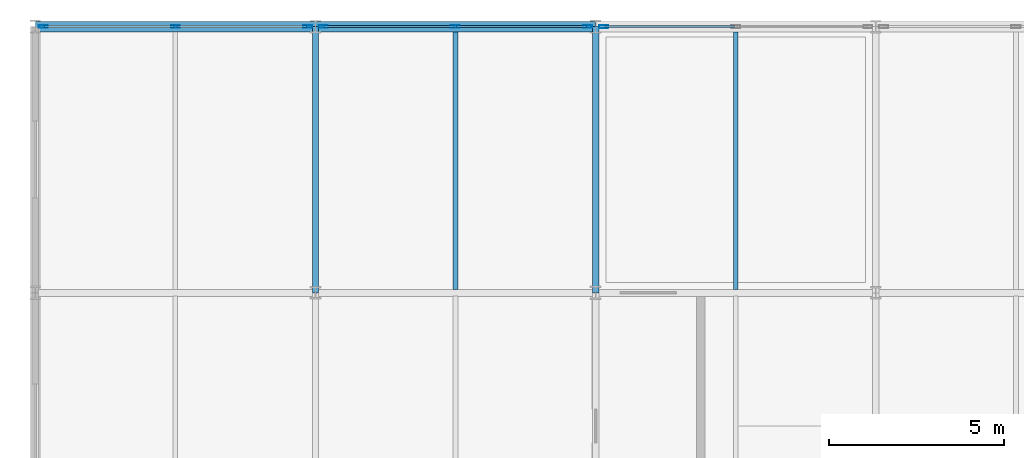
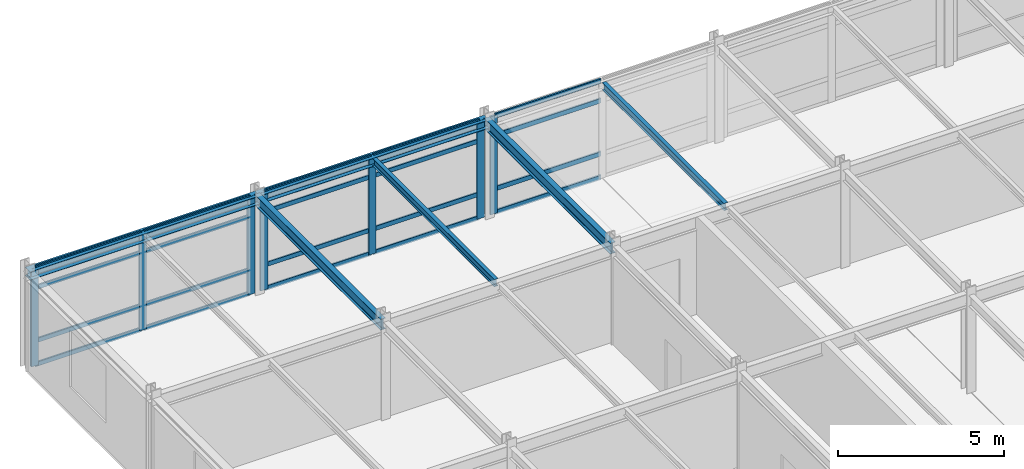
# One storey, part 6 of 15: 27 members, 6 beams, 3 elements without a shape of their own.
"""IFC4 building model written with IfcOpenShell, lengths in metres."""

from ifc_helpers import new_model, si_unit, direction, frame, origin, origin_2d, place, context, subcontext, project, spatial, hollow_rectangle, i_section, extrude, material, layer, layer_set, material_profile, profile_set, type_object, element, aggregate, save


model = new_model("IFC4")

# Units and contexts
model_context = context("Model", 3, precision=1e-05, world=origin(), true_north=direction((0.0, 1.0)))
body_context = subcontext(model_context, "Body", "Model", "MODEL_VIEW")
ifc_project = project(units=[si_unit("LENGTHUNIT", "METRE"), si_unit("AREAUNIT", "SQUARE_METRE"), si_unit("VOLUMEUNIT", "CUBIC_METRE"), si_unit("PLANEANGLEUNIT", "RADIAN"), si_unit("MASSUNIT", "GRAM", prefix="KILO")], contexts=[model_context])

# Site, building, storey
site_placement = place(None, origin())
site = spatial("IfcSite", under=ifc_project, at=site_placement, CompositionType="ELEMENT")
building_placement = place(site_placement, origin())
building = spatial("IfcBuilding", under=site, at=building_placement, Name="Shalkamar Park Central Library", CompositionType="ELEMENT")
storey_placement = place(building_placement, frame((0.0, 0.0, 47.699951171875)))
storey = spatial("IfcBuildingStorey", under=building, at=storey_placement, Name="L12", CompositionType="ELEMENT", Elevation=47.699951171875)

# Beams
ifc_material_1 = material(Name="Steel S355", Category="steel")
ifc_material_profile_1 = material_profile(ifc_material_1, i_section(OverallWidth=0.135009765625, OverallDepth=0.27001953125, WebThickness=0.006591796875, FlangeThickness=0.01025390625, FilletRadius=0.014892578125, at=origin_2d()), Name="IPE 270")
ifc_profile_set_1 = profile_set([ifc_material_profile_1], Name="Steel S355")
beam_type_1 = type_object("IfcBeamType", Name="Composite Floor Joist IPE270", PredefinedType="JOIST", material=ifc_profile_set_1)
for number, where, z_axis, x_axis, name in (
    (1, (177.0, 278.097900390625, 3.47509765625), (0.0, 1.0, 0.0), (-1.0, 0.0, 0.0), "Composite Joist 08/F-1 (L12)"),
    (2, (185.0, 278.097900390625, 3.47509765625), (0.0, 1.0, 0.0), (-1.0, 0.0, 0.0), "Composite Joist 09/F-1 (L12)"),
):
    element("IfcBeam", number, at=place(storey_placement, frame(where, z_axis=z_axis, x_axis=x_axis)), inside=storey, type_object=beam_type_1, Name=name, PredefinedType="JOIST", context=body_context, shape_type="SweptSolid", body=[
        extrude(i_section(OverallWidth=0.135009765625, OverallDepth=0.27001953125, WebThickness=0.006591796875, FlangeThickness=0.01025390625, FilletRadius=0.014892578125, at=origin_2d()), origin(), (0.0, 0.0, 1.0), 7.35400390625),
    ])

# Curtain wall, members
ifc_material_2 = material(Name="Thermally broken aluminium and triple low-e curtain wall", Category="aluminium")
ifc_layer_1 = layer(ifc_material_2, 0.25)
ifc_layer_set_1 = layer_set([ifc_layer_1], Name="UnitisedCurtainWall_83")
curtain_wall_type_1 = type_object("IfcCurtainWallType", Name="Unitised Curtain Wall 83", PredefinedType="USERDEFINED", material=ifc_layer_set_1)
curtain_wall_1_placement = place(storey_placement, origin())
curtain_wall_1 = element("IfcCurtainWall", 3, at=curtain_wall_1_placement, inside=storey, type_object=curtain_wall_type_1, Name="Unitised Curtain Wall CW-L12-135", ObjectType="UNITISED CURTAIN WALL", PredefinedType="USERDEFINED")
ifc_material_3 = material(Name="Aluminium 6060-T66", Category="aluminium")
ifc_material_profile_2 = material_profile(ifc_material_3, hollow_rectangle(XDim=0.074951171875, YDim=0.25, WallThickness=0.00390625, InnerFilletRadius=0.00390625, OuterFilletRadius=0.006103515625, at=origin_2d()), Name="ALU 75x250x4")
ifc_profile_set_2 = profile_set([ifc_material_profile_2], Name="Aluminium 6060-T66")
member_type_1 = type_object("IfcMemberType", Name="Curtain Wall Mullion ALU75x250", PredefinedType="MULLION", material=ifc_profile_set_2)
member_1_placement = place(storey_placement, frame((165.22998046875, 285.60009765625, 0.0), z_axis=(0.0, 0.0, 1.0), x_axis=(0.0, 1.0, 0.0)))
member_1 = element("IfcMember", 4, at=member_1_placement, type_object=member_type_1, Name="CW-83 mullion 1", PredefinedType="MULLION", context=body_context, shape_type="SweptSolid", body=[
    extrude(hollow_rectangle(XDim=0.074951171875, YDim=0.25, WallThickness=0.00390625, InnerFilletRadius=0.00390625, OuterFilletRadius=0.006103515625, at=origin_2d()), origin(), (0.0, 0.0, 1.0), 3.610107421875),
])
member_2_placement = place(storey_placement, frame((169.00439453125, 285.60009765625, 0.0), z_axis=(0.0, 0.0, 1.0), x_axis=(0.0, 1.0, 0.0)))
member_2 = element("IfcMember", 5, at=member_2_placement, type_object=member_type_1, Name="CW-83 mullion 2", PredefinedType="MULLION", context=body_context, shape_type="SweptSolid", body=[
    extrude(hollow_rectangle(XDim=0.074951171875, YDim=0.25, WallThickness=0.00390625, InnerFilletRadius=0.00390625, OuterFilletRadius=0.006103515625, at=origin_2d()), origin(), (0.0, 0.0, 1.0), 3.610107421875),
])
member_3_placement = place(storey_placement, frame((172.779052734375, 285.60009765625, 0.0), z_axis=(0.0, 0.0, 1.0), x_axis=(0.0, 1.0, 0.0)))
member_3 = element("IfcMember", 6, at=member_3_placement, type_object=member_type_1, Name="CW-83 mullion 3", PredefinedType="MULLION", context=body_context, shape_type="SweptSolid", body=[
    extrude(hollow_rectangle(XDim=0.074951171875, YDim=0.25, WallThickness=0.00390625, InnerFilletRadius=0.00390625, OuterFilletRadius=0.006103515625, at=origin_2d()), origin(), (0.0, 0.0, 1.0), 3.610107421875),
])

ifc_layer_2 = layer(ifc_material_2, 0.260009765625)
ifc_layer_set_2 = layer_set([ifc_layer_2], Name="UnitisedCurtainWall_84")
curtain_wall_type_2 = type_object("IfcCurtainWallType", Name="Unitised Curtain Wall 84", PredefinedType="USERDEFINED", material=ifc_layer_set_2)
curtain_wall_2_placement = place(storey_placement, origin())
curtain_wall_2 = element("IfcCurtainWall", 7, at=curtain_wall_2_placement, inside=storey, type_object=curtain_wall_type_2, Name="Unitised Curtain Wall CW-L12-136", ObjectType="UNITISED CURTAIN WALL", PredefinedType="USERDEFINED")
ifc_material_profile_3 = material_profile(ifc_material_3, hollow_rectangle(XDim=0.074951171875, YDim=0.260009765625, WallThickness=0.00439453125, InnerFilletRadius=0.00439453125, OuterFilletRadius=0.0068359375, at=origin_2d()), Name="ALU 75x260x4.5")
ifc_profile_set_3 = profile_set([ifc_material_profile_3], Name="Aluminium 6060-T66")
member_type_2 = type_object("IfcMemberType", Name="Curtain Wall Mullion ALU75x260", PredefinedType="MULLION", material=ifc_profile_set_3)
member_4_placement = place(storey_placement, frame((173.220947265625, 285.60009765625, 0.0), z_axis=(0.0, 0.0, 1.0), x_axis=(0.0, 1.0, 0.0)))
member_4 = element("IfcMember", 8, at=member_4_placement, type_object=member_type_2, Name="CW-84 mullion 1", PredefinedType="MULLION", context=body_context, shape_type="SweptSolid", body=[
    extrude(hollow_rectangle(XDim=0.074951171875, YDim=0.260009765625, WallThickness=0.00439453125, InnerFilletRadius=0.00439453125, OuterFilletRadius=0.0068359375, at=origin_2d()), origin(), (0.0, 0.0, 1.0), 3.610107421875),
])
member_5_placement = place(storey_placement, frame((176.99560546875, 285.60009765625, 0.0), z_axis=(0.0, 0.0, 1.0), x_axis=(0.0, 1.0, 0.0)))
member_5 = element("IfcMember", 9, at=member_5_placement, type_object=member_type_2, Name="CW-84 mullion 2", PredefinedType="MULLION", context=body_context, shape_type="SweptSolid", body=[
    extrude(hollow_rectangle(XDim=0.074951171875, YDim=0.260009765625, WallThickness=0.00439453125, InnerFilletRadius=0.00439453125, OuterFilletRadius=0.0068359375, at=origin_2d()), origin(), (0.0, 0.0, 1.0), 3.610107421875),
])
member_6_placement = place(storey_placement, frame((180.77001953125, 285.60009765625, 0.0), z_axis=(0.0, 0.0, 1.0), x_axis=(0.0, 1.0, 0.0)))
member_6 = element("IfcMember", 10, at=member_6_placement, type_object=member_type_2, Name="CW-84 mullion 3", PredefinedType="MULLION", context=body_context, shape_type="SweptSolid", body=[
    extrude(hollow_rectangle(XDim=0.074951171875, YDim=0.260009765625, WallThickness=0.00439453125, InnerFilletRadius=0.00439453125, OuterFilletRadius=0.0068359375, at=origin_2d()), origin(), (0.0, 0.0, 1.0), 3.610107421875),
])

# Curtain wall, member
ifc_layer_3 = layer(ifc_material_2, 0.2548828125)
ifc_layer_set_3 = layer_set([ifc_layer_3], Name="UnitisedCurtainWall_85")
curtain_wall_type_3 = type_object("IfcCurtainWallType", Name="Unitised Curtain Wall 85", PredefinedType="USERDEFINED", material=ifc_layer_set_3)
curtain_wall_3_placement = place(storey_placement, origin())
curtain_wall_3 = element("IfcCurtainWall", 11, at=curtain_wall_3_placement, inside=storey, type_object=curtain_wall_type_3, Name="Unitised Curtain Wall CW-L12-137", ObjectType="UNITISED CURTAIN WALL", PredefinedType="USERDEFINED")
ifc_material_profile_4 = material_profile(ifc_material_3, hollow_rectangle(XDim=0.080078125, YDim=0.2548828125, WallThickness=0.00439453125, InnerFilletRadius=0.00439453125, OuterFilletRadius=0.0068359375, at=origin_2d()), Name="ALU 80x255x4.5")
ifc_profile_set_4 = profile_set([ifc_material_profile_4], Name="Aluminium 6060-T66")
member_type_3 = type_object("IfcMemberType", Name="Curtain Wall Mullion ALU80x255", PredefinedType="MULLION", material=ifc_profile_set_4)
member_7_placement = place(storey_placement, frame((181.232421875, 285.60009765625, 0.0), z_axis=(0.0, 0.0, 1.0), x_axis=(0.0, 1.0, 0.0)))
member_7 = element("IfcMember", 12, at=member_7_placement, type_object=member_type_3, Name="CW-85 mullion 1", PredefinedType="MULLION", context=body_context, shape_type="SweptSolid", body=[
    extrude(hollow_rectangle(XDim=0.080078125, YDim=0.2548828125, WallThickness=0.00439453125, InnerFilletRadius=0.00439453125, OuterFilletRadius=0.0068359375, at=origin_2d()), origin(), (0.0, 0.0, 1.0), 3.610107421875),
])

# Member
ifc_material_profile_5 = material_profile(ifc_material_3, hollow_rectangle(XDim=0.06005859375, YDim=0.159912109375, WallThickness=0.00390625, InnerFilletRadius=0.00390625, OuterFilletRadius=0.006103515625, at=origin_2d()), Name="ALU 60x160x4")
ifc_profile_set_5 = profile_set([ifc_material_profile_5], Name="Aluminium 6060-T66")
member_type_4 = type_object("IfcMemberType", Name="Curtain Wall Transom ALU60x160", PredefinedType="USERDEFINED", material=ifc_profile_set_5)
member_8_placement = place(storey_placement, frame((165.267578125, 285.60009765625, 0.030029296875), z_axis=(1.0, 0.0, 0.0), x_axis=(0.0, 1.0, 0.0)))
member_8 = element("IfcMember", 13, at=member_8_placement, type_object=member_type_4, Name="CW-83 transom 1.1", ObjectType="TRANSOM", PredefinedType="USERDEFINED", context=body_context, shape_type="SweptSolid", body=[
    extrude(hollow_rectangle(XDim=0.06005859375, YDim=0.159912109375, WallThickness=0.00390625, InnerFilletRadius=0.00390625, OuterFilletRadius=0.006103515625, at=origin_2d()), origin(), (0.0, 0.0, 1.0), 3.699462890625),
])

member_9_placement = place(storey_placement, frame((165.267578125, 285.60009765625, 0.900146484375), z_axis=(1.0, 0.0, 0.0), x_axis=(0.0, 1.0, 0.0)))
member_9 = element("IfcMember", 14, at=member_9_placement, type_object=member_type_4, Name="CW-83 transom 1.2", ObjectType="TRANSOM", PredefinedType="USERDEFINED", context=body_context, shape_type="SweptSolid", body=[
    extrude(hollow_rectangle(XDim=0.06005859375, YDim=0.159912109375, WallThickness=0.00390625, InnerFilletRadius=0.00390625, OuterFilletRadius=0.006103515625, at=origin_2d()), origin(), (0.0, 0.0, 1.0), 3.699462890625),
])

member_10_placement = place(storey_placement, frame((165.267578125, 285.60009765625, 2.860107421875), z_axis=(1.0, 0.0, 0.0), x_axis=(0.0, 1.0, 0.0)))
member_10 = element("IfcMember", 15, at=member_10_placement, type_object=member_type_4, Name="CW-83 transom 1.3", ObjectType="TRANSOM", PredefinedType="USERDEFINED", context=body_context, shape_type="SweptSolid", body=[
    extrude(hollow_rectangle(XDim=0.06005859375, YDim=0.159912109375, WallThickness=0.00390625, InnerFilletRadius=0.00390625, OuterFilletRadius=0.006103515625, at=origin_2d()), origin(), (0.0, 0.0, 1.0), 3.699462890625),
])

member_11_placement = place(storey_placement, frame((165.267578125, 285.60009765625, 3.580078125), z_axis=(1.0, 0.0, 0.0), x_axis=(0.0, 1.0, 0.0)))
member_11 = element("IfcMember", 16, at=member_11_placement, type_object=member_type_4, Name="CW-83 transom 1.4", ObjectType="TRANSOM", PredefinedType="USERDEFINED", context=body_context, shape_type="SweptSolid", body=[
    extrude(hollow_rectangle(XDim=0.06005859375, YDim=0.159912109375, WallThickness=0.00390625, InnerFilletRadius=0.00390625, OuterFilletRadius=0.006103515625, at=origin_2d()), origin(), (0.0, 0.0, 1.0), 3.699462890625),
])

member_12_placement = place(storey_placement, frame((169.0419921875, 285.60009765625, 0.030029296875), z_axis=(1.0, 0.0, 0.0), x_axis=(0.0, 1.0, 0.0)))
member_12 = element("IfcMember", 17, at=member_12_placement, type_object=member_type_4, Name="CW-83 transom 2.1", ObjectType="TRANSOM", PredefinedType="USERDEFINED", context=body_context, shape_type="SweptSolid", body=[
    extrude(hollow_rectangle(XDim=0.06005859375, YDim=0.159912109375, WallThickness=0.00390625, InnerFilletRadius=0.00390625, OuterFilletRadius=0.006103515625, at=origin_2d()), origin(), (0.0, 0.0, 1.0), 3.699462890625),
])

member_13_placement = place(storey_placement, frame((169.0419921875, 285.60009765625, 0.900146484375), z_axis=(1.0, 0.0, 0.0), x_axis=(0.0, 1.0, 0.0)))
member_13 = element("IfcMember", 18, at=member_13_placement, type_object=member_type_4, Name="CW-83 transom 2.2", ObjectType="TRANSOM", PredefinedType="USERDEFINED", context=body_context, shape_type="SweptSolid", body=[
    extrude(hollow_rectangle(XDim=0.06005859375, YDim=0.159912109375, WallThickness=0.00390625, InnerFilletRadius=0.00390625, OuterFilletRadius=0.006103515625, at=origin_2d()), origin(), (0.0, 0.0, 1.0), 3.699462890625),
])

member_14_placement = place(storey_placement, frame((169.0419921875, 285.60009765625, 2.860107421875), z_axis=(1.0, 0.0, 0.0), x_axis=(0.0, 1.0, 0.0)))
member_14 = element("IfcMember", 19, at=member_14_placement, type_object=member_type_4, Name="CW-83 transom 2.3", ObjectType="TRANSOM", PredefinedType="USERDEFINED", context=body_context, shape_type="SweptSolid", body=[
    extrude(hollow_rectangle(XDim=0.06005859375, YDim=0.159912109375, WallThickness=0.00390625, InnerFilletRadius=0.00390625, OuterFilletRadius=0.006103515625, at=origin_2d()), origin(), (0.0, 0.0, 1.0), 3.699462890625),
])

member_15_placement = place(storey_placement, frame((169.0419921875, 285.60009765625, 3.580078125), z_axis=(1.0, 0.0, 0.0), x_axis=(0.0, 1.0, 0.0)))
member_15 = element("IfcMember", 20, at=member_15_placement, type_object=member_type_4, Name="CW-83 transom 2.4", ObjectType="TRANSOM", PredefinedType="USERDEFINED", context=body_context, shape_type="SweptSolid", body=[
    extrude(hollow_rectangle(XDim=0.06005859375, YDim=0.159912109375, WallThickness=0.00390625, InnerFilletRadius=0.00390625, OuterFilletRadius=0.006103515625, at=origin_2d()), origin(), (0.0, 0.0, 1.0), 3.699462890625),
])

aggregate(curtain_wall_1, [member_1, member_2, member_3, member_8, member_9, member_10, member_11, member_12, member_13, member_14, member_15])

ifc_material_profile_6 = material_profile(ifc_material_3, hollow_rectangle(XDim=0.06005859375, YDim=0.1650390625, WallThickness=0.00390625, InnerFilletRadius=0.00390625, OuterFilletRadius=0.006103515625, at=origin_2d()), Name="ALU 60x165x4")
ifc_profile_set_6 = profile_set([ifc_material_profile_6], Name="Aluminium 6060-T66")
member_type_5 = type_object("IfcMemberType", Name="Curtain Wall Transom ALU60x165", PredefinedType="USERDEFINED", material=ifc_profile_set_6)
member_16_placement = place(storey_placement, frame((173.258544921875, 285.60009765625, 0.030029296875), z_axis=(1.0, 0.0, 0.0), x_axis=(0.0, 1.0, 0.0)))
member_16 = element("IfcMember", 21, at=member_16_placement, type_object=member_type_5, Name="CW-84 transom 1.1", ObjectType="TRANSOM", PredefinedType="USERDEFINED", context=body_context, shape_type="SweptSolid", body=[
    extrude(hollow_rectangle(XDim=0.06005859375, YDim=0.1650390625, WallThickness=0.00390625, InnerFilletRadius=0.00390625, OuterFilletRadius=0.006103515625, at=origin_2d()), origin(), (0.0, 0.0, 1.0), 3.699462890625),
])

member_17_placement = place(storey_placement, frame((173.258544921875, 285.60009765625, 0.900146484375), z_axis=(1.0, 0.0, 0.0), x_axis=(0.0, 1.0, 0.0)))
member_17 = element("IfcMember", 22, at=member_17_placement, type_object=member_type_5, Name="CW-84 transom 1.2", ObjectType="TRANSOM", PredefinedType="USERDEFINED", context=body_context, shape_type="SweptSolid", body=[
    extrude(hollow_rectangle(XDim=0.06005859375, YDim=0.1650390625, WallThickness=0.00390625, InnerFilletRadius=0.00390625, OuterFilletRadius=0.006103515625, at=origin_2d()), origin(), (0.0, 0.0, 1.0), 3.699462890625),
])

member_18_placement = place(storey_placement, frame((173.258544921875, 285.60009765625, 2.860107421875), z_axis=(1.0, 0.0, 0.0), x_axis=(0.0, 1.0, 0.0)))
member_18 = element("IfcMember", 23, at=member_18_placement, type_object=member_type_5, Name="CW-84 transom 1.3", ObjectType="TRANSOM", PredefinedType="USERDEFINED", context=body_context, shape_type="SweptSolid", body=[
    extrude(hollow_rectangle(XDim=0.06005859375, YDim=0.1650390625, WallThickness=0.00390625, InnerFilletRadius=0.00390625, OuterFilletRadius=0.006103515625, at=origin_2d()), origin(), (0.0, 0.0, 1.0), 3.699462890625),
])

member_19_placement = place(storey_placement, frame((173.258544921875, 285.60009765625, 3.580078125), z_axis=(1.0, 0.0, 0.0), x_axis=(0.0, 1.0, 0.0)))
member_19 = element("IfcMember", 24, at=member_19_placement, type_object=member_type_5, Name="CW-84 transom 1.4", ObjectType="TRANSOM", PredefinedType="USERDEFINED", context=body_context, shape_type="SweptSolid", body=[
    extrude(hollow_rectangle(XDim=0.06005859375, YDim=0.1650390625, WallThickness=0.00390625, InnerFilletRadius=0.00390625, OuterFilletRadius=0.006103515625, at=origin_2d()), origin(), (0.0, 0.0, 1.0), 3.699462890625),
])

member_20_placement = place(storey_placement, frame((177.032958984375, 285.60009765625, 0.030029296875), z_axis=(1.0, 0.0, 0.0), x_axis=(0.0, 1.0, 0.0)))
member_20 = element("IfcMember", 25, at=member_20_placement, type_object=member_type_5, Name="CW-84 transom 2.1", ObjectType="TRANSOM", PredefinedType="USERDEFINED", context=body_context, shape_type="SweptSolid", body=[
    extrude(hollow_rectangle(XDim=0.06005859375, YDim=0.1650390625, WallThickness=0.00390625, InnerFilletRadius=0.00390625, OuterFilletRadius=0.006103515625, at=origin_2d()), origin(), (0.0, 0.0, 1.0), 3.699462890625),
])

member_21_placement = place(storey_placement, frame((177.032958984375, 285.60009765625, 0.900146484375), z_axis=(1.0, 0.0, 0.0), x_axis=(0.0, 1.0, 0.0)))
member_21 = element("IfcMember", 26, at=member_21_placement, type_object=member_type_5, Name="CW-84 transom 2.2", ObjectType="TRANSOM", PredefinedType="USERDEFINED", context=body_context, shape_type="SweptSolid", body=[
    extrude(hollow_rectangle(XDim=0.06005859375, YDim=0.1650390625, WallThickness=0.00390625, InnerFilletRadius=0.00390625, OuterFilletRadius=0.006103515625, at=origin_2d()), origin(), (0.0, 0.0, 1.0), 3.699462890625),
])

member_22_placement = place(storey_placement, frame((177.032958984375, 285.60009765625, 2.860107421875), z_axis=(1.0, 0.0, 0.0), x_axis=(0.0, 1.0, 0.0)))
member_22 = element("IfcMember", 27, at=member_22_placement, type_object=member_type_5, Name="CW-84 transom 2.3", ObjectType="TRANSOM", PredefinedType="USERDEFINED", context=body_context, shape_type="SweptSolid", body=[
    extrude(hollow_rectangle(XDim=0.06005859375, YDim=0.1650390625, WallThickness=0.00390625, InnerFilletRadius=0.00390625, OuterFilletRadius=0.006103515625, at=origin_2d()), origin(), (0.0, 0.0, 1.0), 3.699462890625),
])

member_23_placement = place(storey_placement, frame((177.032958984375, 285.60009765625, 3.580078125), z_axis=(1.0, 0.0, 0.0), x_axis=(0.0, 1.0, 0.0)))
member_23 = element("IfcMember", 28, at=member_23_placement, type_object=member_type_5, Name="CW-84 transom 2.4", ObjectType="TRANSOM", PredefinedType="USERDEFINED", context=body_context, shape_type="SweptSolid", body=[
    extrude(hollow_rectangle(XDim=0.06005859375, YDim=0.1650390625, WallThickness=0.00390625, InnerFilletRadius=0.00390625, OuterFilletRadius=0.006103515625, at=origin_2d()), origin(), (0.0, 0.0, 1.0), 3.699462890625),
])

aggregate(curtain_wall_2, [member_4, member_5, member_6, member_16, member_17, member_18, member_19, member_20, member_21, member_22, member_23])

ifc_material_profile_7 = material_profile(ifc_material_3, hollow_rectangle(XDim=0.06494140625, YDim=0.169921875, WallThickness=0.00390625, InnerFilletRadius=0.00390625, OuterFilletRadius=0.006103515625, at=origin_2d()), Name="ALU 65x170x4")
ifc_profile_set_7 = profile_set([ifc_material_profile_7], Name="Aluminium 6060-T66")
member_type_6 = type_object("IfcMemberType", Name="Curtain Wall Transom ALU65x170", PredefinedType="USERDEFINED", material=ifc_profile_set_7)
member_24_placement = place(storey_placement, frame((181.2724609375, 285.60009765625, 0.032470703125), z_axis=(1.0, 0.0, 0.0), x_axis=(0.0, 1.0, 0.0)))
member_24 = element("IfcMember", 29, at=member_24_placement, type_object=member_type_6, Name="CW-85 transom 1.1", ObjectType="TRANSOM", PredefinedType="USERDEFINED", context=body_context, shape_type="SweptSolid", body=[
    extrude(hollow_rectangle(XDim=0.06494140625, YDim=0.169921875, WallThickness=0.00390625, InnerFilletRadius=0.00390625, OuterFilletRadius=0.006103515625, at=origin_2d()), origin(), (0.0, 0.0, 1.0), 3.692138671875),
])

member_25_placement = place(storey_placement, frame((181.2724609375, 285.60009765625, 0.900146484375), z_axis=(1.0, 0.0, 0.0), x_axis=(0.0, 1.0, 0.0)))
member_25 = element("IfcMember", 30, at=member_25_placement, type_object=member_type_6, Name="CW-85 transom 1.2", ObjectType="TRANSOM", PredefinedType="USERDEFINED", context=body_context, shape_type="SweptSolid", body=[
    extrude(hollow_rectangle(XDim=0.06494140625, YDim=0.169921875, WallThickness=0.00390625, InnerFilletRadius=0.00390625, OuterFilletRadius=0.006103515625, at=origin_2d()), origin(), (0.0, 0.0, 1.0), 3.692138671875),
])

member_26_placement = place(storey_placement, frame((181.2724609375, 285.60009765625, 2.860107421875), z_axis=(1.0, 0.0, 0.0), x_axis=(0.0, 1.0, 0.0)))
member_26 = element("IfcMember", 31, at=member_26_placement, type_object=member_type_6, Name="CW-85 transom 1.3", ObjectType="TRANSOM", PredefinedType="USERDEFINED", context=body_context, shape_type="SweptSolid", body=[
    extrude(hollow_rectangle(XDim=0.06494140625, YDim=0.169921875, WallThickness=0.00390625, InnerFilletRadius=0.00390625, OuterFilletRadius=0.006103515625, at=origin_2d()), origin(), (0.0, 0.0, 1.0), 3.692138671875),
])

member_27_placement = place(storey_placement, frame((181.2724609375, 285.60009765625, 3.57763671875), z_axis=(1.0, 0.0, 0.0), x_axis=(0.0, 1.0, 0.0)))
member_27 = element("IfcMember", 32, at=member_27_placement, type_object=member_type_6, Name="CW-85 transom 1.4", ObjectType="TRANSOM", PredefinedType="USERDEFINED", context=body_context, shape_type="SweptSolid", body=[
    extrude(hollow_rectangle(XDim=0.06494140625, YDim=0.169921875, WallThickness=0.00390625, InnerFilletRadius=0.00390625, OuterFilletRadius=0.006103515625, at=origin_2d()), origin(), (0.0, 0.0, 1.0), 3.692138671875),
])

aggregate(curtain_wall_3, [member_7, member_24, member_25, member_26, member_27])

# Beams
ifc_material_profile_8 = material_profile(ifc_material_1, i_section(OverallWidth=0.300048828125, OverallDepth=0.31005859375, WebThickness=0.009033203125, FlangeThickness=0.015380859375, FilletRadius=0.027099609375, at=origin_2d()), Name="HEA 320")
ifc_profile_set_8 = profile_set([ifc_material_profile_8], Name="Steel S355")
beam_type_2 = type_object("IfcBeamType", Name="Perimeter Spandrel Beam HEA320", PredefinedType="SPANDREL", material=ifc_profile_set_8)
for number, where, z_axis, x_axis, name in (
    (33, (165.0, 285.60009765625, 3.455078125), (1.0, 0.0, 0.0), (0.0, 1.0, 0.0), "Beam G:07-08 (L12)"),
    (34, (173.0, 285.60009765625, 3.455078125), (1.0, 0.0, 0.0), (0.0, 1.0, 0.0), "Beam G:08-09 (L12)"),
):
    element("IfcBeam", number, at=place(storey_placement, frame(where, z_axis=z_axis, x_axis=x_axis)), inside=storey, type_object=beam_type_2, Name=name, PredefinedType="SPANDREL", context=body_context, shape_type="SweptSolid", body=[
        extrude(i_section(OverallWidth=0.300048828125, OverallDepth=0.31005859375, WebThickness=0.009033203125, FlangeThickness=0.015380859375, FilletRadius=0.027099609375, at=origin_2d()), origin(), (0.0, 0.0, 1.0), 8.0),
    ])
ifc_material_profile_9 = material_profile(ifc_material_1, i_section(OverallWidth=0.179931640625, OverallDepth=0.39990234375, WebThickness=0.008544921875, FlangeThickness=0.013427734375, FilletRadius=0.02099609375, at=origin_2d()), Name="IPE 400")
ifc_profile_set_9 = profile_set([ifc_material_profile_9], Name="Steel S355")
beam_type_3 = type_object("IfcBeamType", Name="Primary Girder IPE400", PredefinedType="BEAM", material=ifc_profile_set_9)
for number, where, z_axis, x_axis, name in (
    (35, (173.0, 278.0, 3.41015625), (0.0, 1.0, 0.0), (-1.0, 0.0, 0.0), "Beam 08:F-G (L12)"),
    (36, (181.0, 278.0, 3.41015625), (0.0, 1.0, 0.0), (-1.0, 0.0, 0.0), "Beam 09:F-G (L12)"),
):
    element("IfcBeam", number, at=place(storey_placement, frame(where, z_axis=z_axis, x_axis=x_axis)), inside=storey, type_object=beam_type_3, Name=name, PredefinedType="BEAM", context=body_context, shape_type="SweptSolid", body=[
        extrude(i_section(OverallWidth=0.179931640625, OverallDepth=0.39990234375, WebThickness=0.008544921875, FlangeThickness=0.013427734375, FilletRadius=0.02099609375, at=origin_2d()), origin(), (0.0, 0.0, 1.0), 7.60009765625),
    ])

save(model, "model.ifc")
